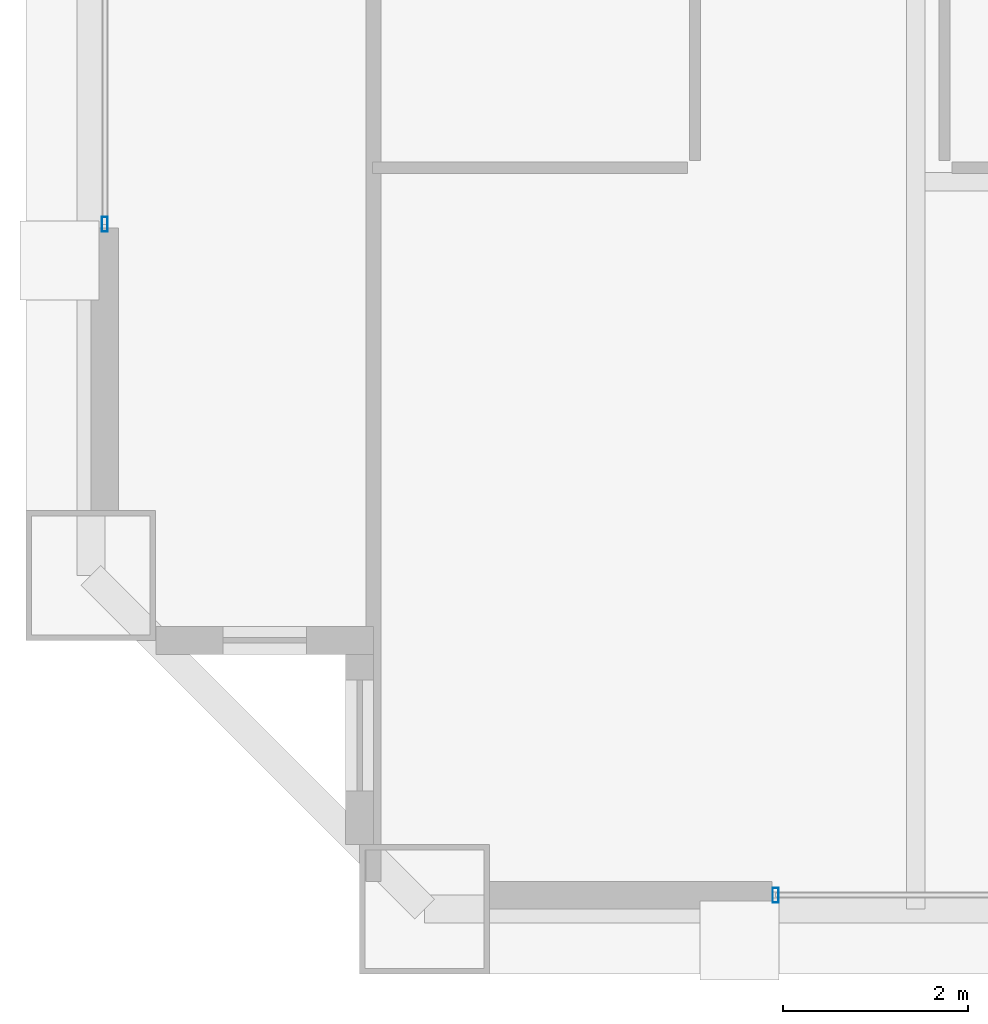
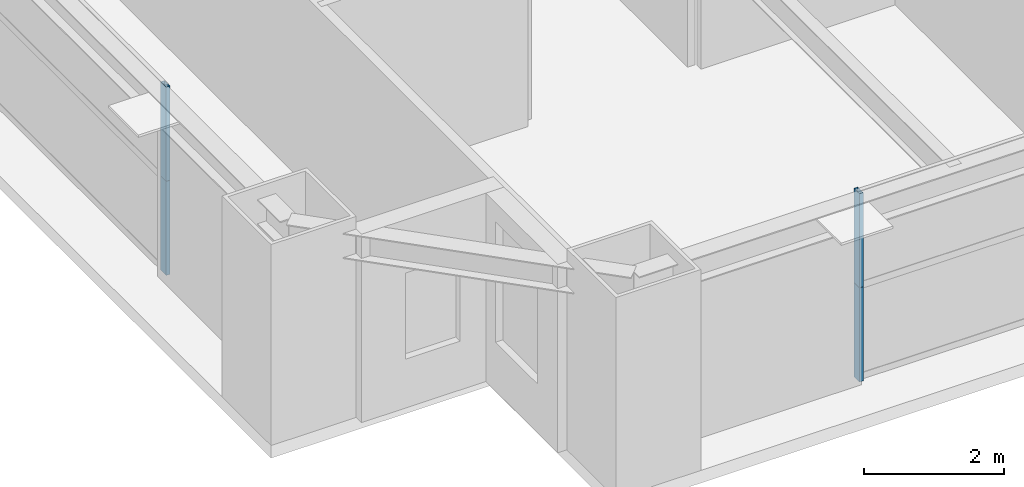
# One storey, part 4 of 38: 4 members, 2 elements without a shape of their own.
"""IFC4 building model written with IfcOpenShell, lengths in metres."""

from ifc_helpers import new_model, si_unit, direction, frame, origin, origin_2d, place, context, subcontext, project, spatial, hollow_rectangle, extrude, source, transform, mapped, material, layer, layer_set, material_profile, profile_set, type_object, element, aggregate, save


model = new_model("IFC4")

# Units and contexts
model_context = context("Model", 3, precision=1e-05, world=origin(), true_north=direction((0.0, 1.0)))
body_context = subcontext(model_context, "Body", "Model", "MODEL_VIEW")
ifc_project = project(units=[si_unit("LENGTHUNIT", "METRE"), si_unit("AREAUNIT", "SQUARE_METRE"), si_unit("VOLUMEUNIT", "CUBIC_METRE"), si_unit("PLANEANGLEUNIT", "RADIAN"), si_unit("MASSUNIT", "GRAM", prefix="KILO"), si_unit("THERMODYNAMICTEMPERATUREUNIT", "KELVIN"), si_unit("POWERUNIT", "WATT")], contexts=[model_context])

# Site, building, storey
site_placement = place(None, origin())
site = spatial("IfcSite", under=ifc_project, at=site_placement, CompositionType="ELEMENT")
building_placement = place(site_placement, origin())
building = spatial("IfcBuilding", under=site, at=building_placement, Name="Yuzanri Waterfront Tower", CompositionType="ELEMENT")
storey_placement = place(building_placement, frame((0.0, 0.0, 181.0)))
storey = spatial("IfcBuildingStorey", under=building, at=storey_placement, Name="L47", CompositionType="ELEMENT", Elevation=181.0)

# Curtain wall, members
ifc_material_1 = material(Name="Anodized Architectural Bronze", Category="metal")
ifc_layer = layer(ifc_material_1, 0.159912109375)
ifc_layer_set = layer_set([ifc_layer], Name="Anodized Architectural Bronze")
curtain_wall_type = type_object("IfcCurtainWallType", Name="Anodized Bronze Mid-Rise Residential Acoustic Unitized Curtain Wall 7200", PredefinedType="NOTDEFINED", material=ifc_layer_set)
curtain_wall_1_placement = place(storey_placement, origin())
curtain_wall_1 = element("IfcCurtainWall", 1, at=curtain_wall_1_placement, inside=storey, type_object=curtain_wall_type, Name="L47 Curtain Wall CW-L47-SL", PredefinedType="NOTDEFINED")
ifc_material_2 = material(Name="Anodized Architectural Bronze", Category="metal")
ifc_material_profile = material_profile(ifc_material_2, hollow_rectangle(XDim=0.06494140625, YDim=0.159912109375, WallThickness=0.00341796875, at=origin_2d()), Name="CWM 65x160")
ifc_profile_set = profile_set([ifc_material_profile], Name="Anodized Architectural Bronze")
member_type = type_object("IfcMemberType", Name="Anodized Bronze Upper-Zone Curtain-Wall Mullion 65x160", PredefinedType="MULLION", material=ifc_profile_set)
shared_shape = source(origin(), body_context, "Body", "SweptSolid", [
    extrude(hollow_rectangle(XDim=0.06494140625, YDim=0.159912109375, WallThickness=0.00341796875, at=origin_2d()), origin(), (0.0, 0.0, 1.0), 1.637939453125),
])
member_1_placement = place(storey_placement, frame((22.2900390625, 3.85009765625, 0.0), z_axis=(0.0, 0.0, 1.0), x_axis=(1.0, 0.0, 0.0)))
member_1 = element("IfcMember", 2, at=member_1_placement, type_object=member_type, Name="CW-L47-SL Lower Mullion 00", PredefinedType="MULLION", context=body_context, shape_type="MappedRepresentation", body=[
    mapped(shared_shape, transform((0.0, 0.0, 0.0), scale=1.0)),
])
member_2_placement = place(storey_placement, frame((22.2900390625, 3.85009765625, 1.64208984375), z_axis=(0.0, 0.0, 1.0), x_axis=(1.0, 0.0, 0.0)))
member_2 = element("IfcMember", 3, at=member_2_placement, type_object=member_type, Name="CW-L47-SL Upper Mullion 00", PredefinedType="MULLION", context=body_context, shape_type="MappedRepresentation", body=[
    mapped(shared_shape, transform((0.0, 0.0, 0.0), scale=1.0)),
])
aggregate(curtain_wall_1, [member_1, member_2])

curtain_wall_2_placement = place(storey_placement, origin())
curtain_wall_2 = element("IfcCurtainWall", 4, at=curtain_wall_2_placement, inside=storey, type_object=curtain_wall_type, Name="L47 Curtain Wall CW-L47-WL", PredefinedType="NOTDEFINED")
member_3_placement = place(storey_placement, frame((15.050048828125, 11.090087890625, 0.0), z_axis=(0.0, 0.0, 1.0), x_axis=(1.0, 0.0, 0.0)))
member_3 = element("IfcMember", 5, at=member_3_placement, type_object=member_type, Name="CW-L47-WL Lower Mullion 00", PredefinedType="MULLION", context=body_context, shape_type="MappedRepresentation", body=[
    mapped(shared_shape, transform((0.0, 0.0, 0.0), scale=1.0)),
])
member_4_placement = place(storey_placement, frame((15.050048828125, 11.090087890625, 1.64208984375), z_axis=(0.0, 0.0, 1.0), x_axis=(1.0, 0.0, 0.0)))
member_4 = element("IfcMember", 6, at=member_4_placement, type_object=member_type, Name="CW-L47-WL Upper Mullion 00", PredefinedType="MULLION", context=body_context, shape_type="MappedRepresentation", body=[
    mapped(shared_shape, transform((0.0, 0.0, 0.0), scale=1.0)),
])
aggregate(curtain_wall_2, [member_3, member_4])

save(model, "model.ifc")
